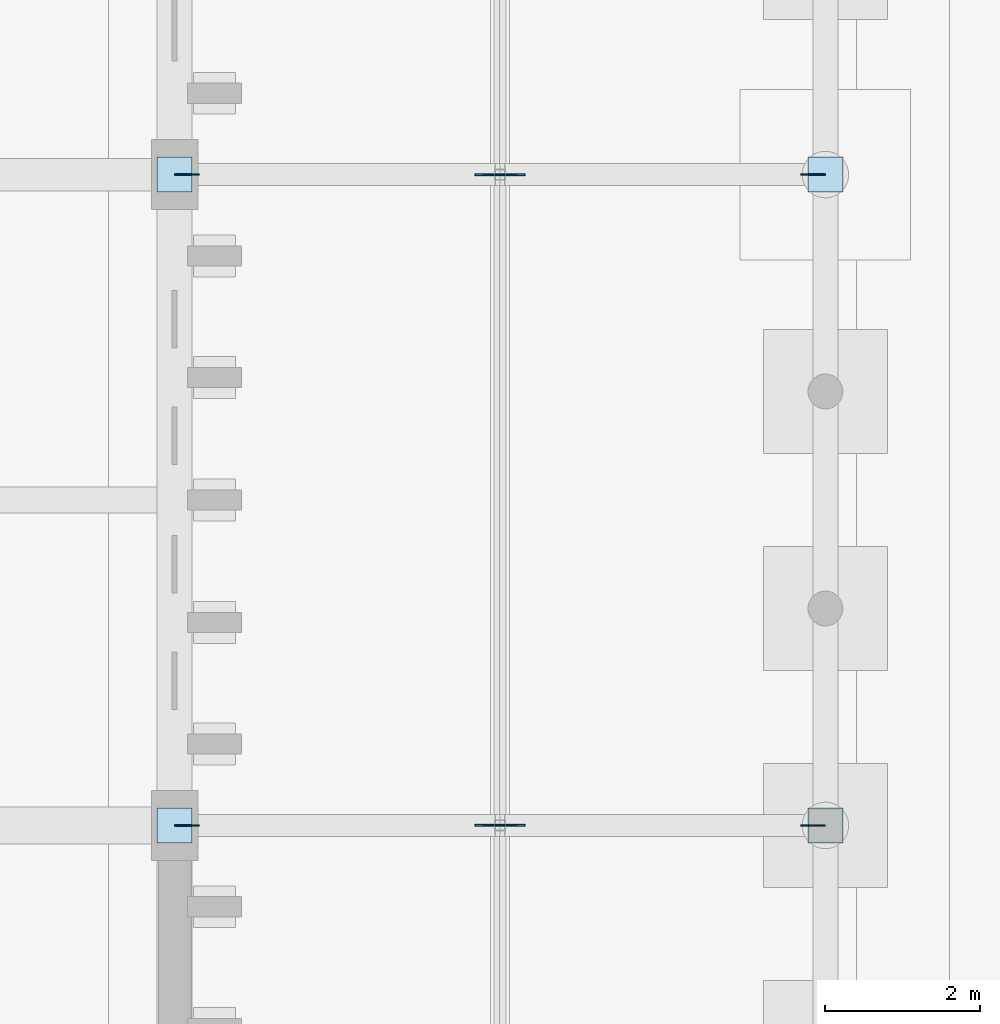
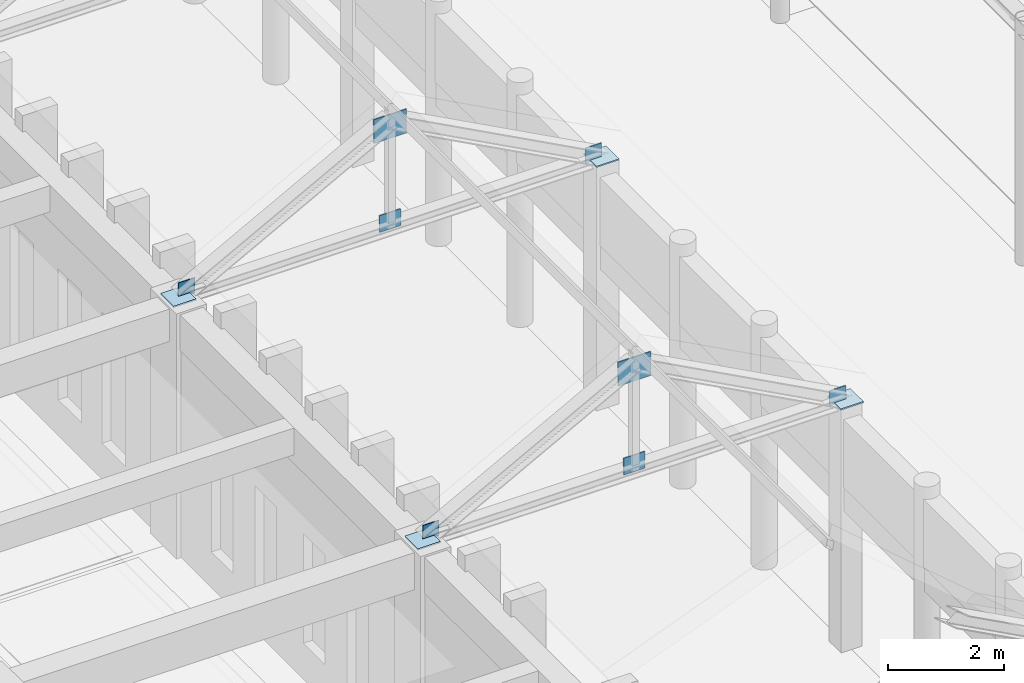
# One storey, part 87 of 143: 12 plates.
"""IFC4 building model written with IfcOpenShell, lengths in metres."""

from ifc_helpers import new_model, si_unit, direction, frame, origin, origin_2d, place, context, subcontext, project, spatial, rectangle, extrude, material, layer, layer_set, type_object, element, save


model = new_model("IFC4")

# Units and contexts
model_context = context("Model", 3, precision=1e-05, world=origin(), true_north=direction((0.0, 1.0)))
body_context = subcontext(model_context, "Body", "Model", "MODEL_VIEW")
ifc_project = project(units=[si_unit("LENGTHUNIT", "METRE"), si_unit("AREAUNIT", "SQUARE_METRE"), si_unit("VOLUMEUNIT", "CUBIC_METRE"), si_unit("PLANEANGLEUNIT", "RADIAN"), si_unit("MASSUNIT", "GRAM", prefix="KILO")], contexts=[model_context])

# Site, building, storey
site_placement = place(None, origin())
site = spatial("IfcSite", under=ifc_project, at=site_placement, CompositionType="ELEMENT")
building_placement = place(site_placement, origin())
building = spatial("IfcBuilding", under=site, at=building_placement, Name="Kveldsbrygga Polytechnic", CompositionType="ELEMENT")
storey_placement = place(building_placement, origin())
storey = spatial("IfcBuildingStorey", under=building, at=storey_placement, Name="L00", CompositionType="ELEMENT", Elevation=0.0)

# Plates
ifc_material = material(Name="Steel S355", Category="steel")
ifc_layer_1 = layer(ifc_material, 0.030029296875)
ifc_layer_set_1 = layer_set([ifc_layer_1], Name="Steel S355")
plate_type_1 = type_object("IfcPlateType", Name="CAP-BEAR-450", PredefinedType="SHEET", material=ifc_layer_set_1)
for number, where, z_axis, x_axis, name in (
    (1, (33.60009765625, 50.39990234375, 5.10986328125), (0.0, 0.0, 1.0), (1.0, 0.0, 0.0), "Truss Bearing Plate ARC-WW-T03-A"),
    (2, (42.0, 50.39990234375, 5.10986328125), (0.0, 0.0, 1.0), (1.0, 0.0, 0.0), "Truss Bearing Plate ARC-WW-T03-B"),
    (3, (33.60009765625, 58.800048828125, 5.10986328125), (0.0, 0.0, 1.0), (1.0, 0.0, 0.0), "Truss Bearing Plate ARC-WW-T04-A"),
    (4, (42.0, 58.800048828125, 5.10986328125), (0.0, 0.0, 1.0), (1.0, 0.0, 0.0), "Truss Bearing Plate ARC-WW-T04-B"),
):
    element("IfcPlate", number, at=place(storey_placement, frame(where, z_axis=z_axis, x_axis=x_axis)), inside=storey, type_object=plate_type_1, Name=name, PredefinedType="SHEET", context=body_context, shape_type="SweptSolid", body=[
        extrude(rectangle(XDim=0.449951171875, YDim=0.449951171875, at=origin_2d()), origin(), (0.0, 0.0, 1.0), 0.030029296875),
    ])
ifc_layer_2 = layer(ifc_material, 0.02490234375)
ifc_layer_set_2 = layer_set([ifc_layer_2], Name="Steel S355")
plate_type_2 = type_object("IfcPlateType", Name="GUS-APEX-650", PredefinedType="SHEET", material=ifc_layer_set_2)
for number, where, z_axis, x_axis, name in (
    (5, (37.800048828125, 50.39990234375, 6.989990234375), (0.0, 0.0, 1.0), (1.0, 0.0, 0.0), "Truss Gusset Plate ARC-WW-T03-GP-1"),
    (6, (37.800048828125, 58.800048828125, 6.989990234375), (0.0, 0.0, 1.0), (1.0, 0.0, 0.0), "Truss Gusset Plate ARC-WW-T04-GP-1"),
):
    element("IfcPlate", number, at=place(storey_placement, frame(where, z_axis=z_axis, x_axis=x_axis)), inside=storey, type_object=plate_type_2, Name=name, PredefinedType="SHEET", context=body_context, shape_type="SweptSolid", body=[
        extrude(rectangle(XDim=0.64990234375, YDim=0.02490234375, at=origin_2d()), origin(), (0.0, 0.0, 1.0), 0.5),
    ])
ifc_layer_3 = layer(ifc_material, 0.01806640625)
ifc_layer_set_3 = layer_set([ifc_layer_3], Name="Steel S355")
plate_type_3 = type_object("IfcPlateType", Name="GUS-BRACE-320", PredefinedType="SHEET", material=ifc_layer_set_3)
for number, where, z_axis, x_axis, name in (
    (7, (33.760009765625, 50.39990234375, 5.10009765625), (0.0, 0.0, 1.0), (1.0, 0.0, 0.0), "Truss Eaves Node Gusset ARC-WW-T03-EGP-A"),
    (8, (41.840087890625, 50.39990234375, 5.10009765625), (0.0, 0.0, 1.0), (1.0, 0.0, 0.0), "Truss Eaves Node Gusset ARC-WW-T03-EGP-B"),
    (9, (33.760009765625, 58.800048828125, 5.10009765625), (0.0, 0.0, 1.0), (1.0, 0.0, 0.0), "Truss Eaves Node Gusset ARC-WW-T04-EGP-A"),
    (10, (41.840087890625, 58.800048828125, 5.10009765625), (0.0, 0.0, 1.0), (1.0, 0.0, 0.0), "Truss Eaves Node Gusset ARC-WW-T04-EGP-B"),
):
    element("IfcPlate", number, at=place(storey_placement, frame(where, z_axis=z_axis, x_axis=x_axis)), inside=storey, type_object=plate_type_3, Name=name, PredefinedType="SHEET", context=body_context, shape_type="SweptSolid", body=[
        extrude(rectangle(XDim=0.320068359375, YDim=0.01806640625, at=origin_2d()), origin(), (0.0, 0.0, 1.0), 0.320068359375),
    ])
ifc_layer_4 = layer(ifc_material, 0.02001953125)
ifc_layer_set_4 = layer_set([ifc_layer_4], Name="Steel S355")
plate_type_4 = type_object("IfcPlateType", Name="GUS-LECT-420", PredefinedType="SHEET", material=ifc_layer_set_4)
for number, where, z_axis, x_axis, name in (
    (11, (37.800048828125, 50.39990234375, 5.0849609375), (0.0, 0.0, 1.0), (1.0, 0.0, 0.0), "Truss Bottom-Chord Node Gusset ARC-WW-T03-BGP-1"),
    (12, (37.800048828125, 58.800048828125, 5.0849609375), (0.0, 0.0, 1.0), (1.0, 0.0, 0.0), "Truss Bottom-Chord Node Gusset ARC-WW-T04-BGP-1"),
):
    element("IfcPlate", number, at=place(storey_placement, frame(where, z_axis=z_axis, x_axis=x_axis)), inside=storey, type_object=plate_type_4, Name=name, PredefinedType="SHEET", context=body_context, shape_type="SweptSolid", body=[
        extrude(rectangle(XDim=0.419921875, YDim=0.02001953125, at=origin_2d()), origin(), (0.0, 0.0, 1.0), 0.35009765625),
    ])

save(model, "model.ifc")
